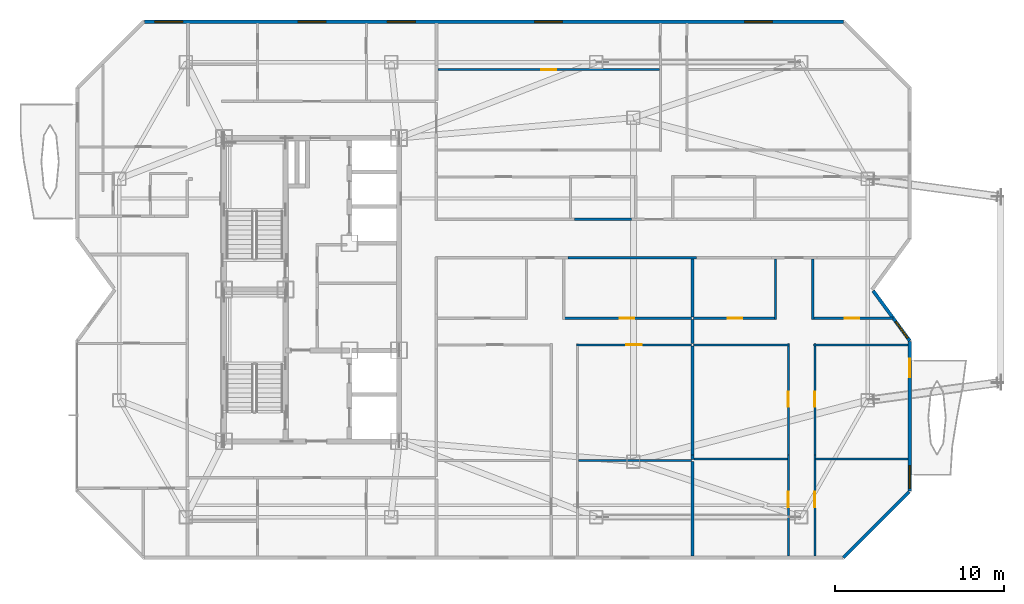
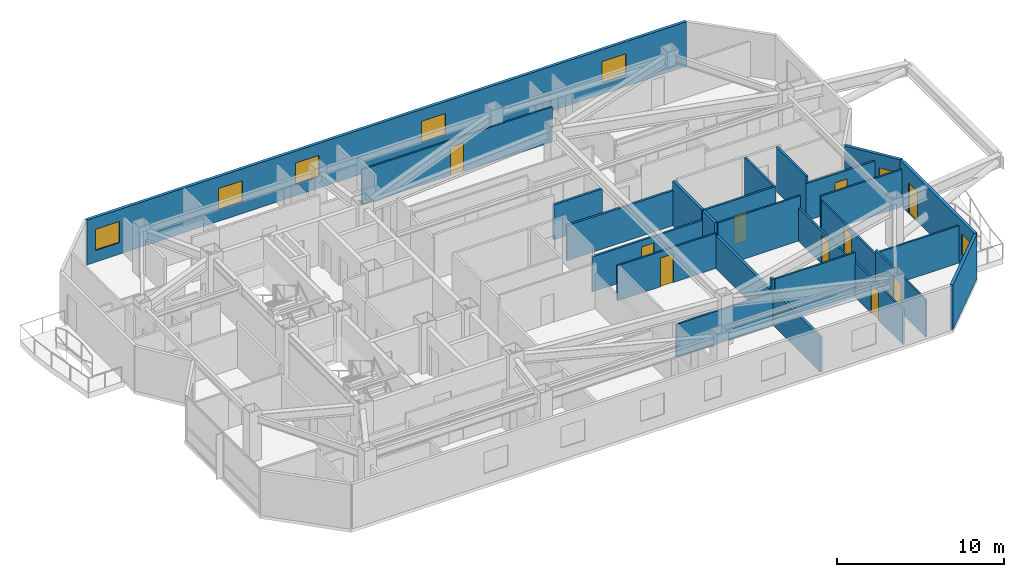
# One storey, part 11 of 14: 27 walls, 10 doors, 7 windows, 17 openings.
"""IFC4 building model written with IfcOpenShell, lengths in metres."""

from ifc_helpers import new_model, si_unit, direction, frame, frame_2d, origin, place, context, subcontext, project, spatial, rectangle, extrude, material, layer, layer_set, type_object, element, fill, save


model = new_model("IFC4")

# Units and contexts
model_context = context("Model", 3, precision=1e-05, world=origin(), true_north=direction((0.0, 1.0)))
body_context = subcontext(model_context, "Body", "Model", "MODEL_VIEW")
ifc_project = project(units=[si_unit("LENGTHUNIT", "METRE"), si_unit("AREAUNIT", "SQUARE_METRE"), si_unit("VOLUMEUNIT", "CUBIC_METRE"), si_unit("PLANEANGLEUNIT", "RADIAN"), si_unit("MASSUNIT", "GRAM", prefix="KILO")], contexts=[model_context])

# Site, building, storey
site_placement = place(None, origin())
site = spatial("IfcSite", under=ifc_project, at=site_placement, CompositionType="ELEMENT")
building_placement = place(site_placement, origin())
building = spatial("IfcBuilding", under=site, at=building_placement, Name="Khamvora Tower", CompositionType="ELEMENT")
storey_placement = place(building_placement, frame((0.0, 0.0, 261.0)))
storey = spatial("IfcBuildingStorey", under=building, at=storey_placement, Name="L67", CompositionType="ELEMENT", Elevation=261.0)

# Walls
ifc_material_1 = material(Name="Fire-Rated Drywall and Steel Stud", Category="steel")
ifc_layer_1 = layer(ifc_material_1, 0.14990234375)
ifc_layer_set_1 = layer_set([ifc_layer_1], Name="Fire-Rated Drywall and Steel Stud")
wall_type_1 = type_object("IfcWallType", Name="WAL-CORR-150", PredefinedType="STANDARD", material=ifc_layer_set_1)
wall_1_placement = place(storey_placement, frame((57.054931640625, 29.885009765625, 0.0), z_axis=(0.0, 0.0, 1.0), x_axis=(-1.0, 0.0, 0.0)))
element("IfcWall", 1, at=wall_1_placement, inside=storey, type_object=wall_type_1, Name="L67 interior partition wall 022", PredefinedType="STANDARD", context=body_context, shape_type="SweptSolid", body=[
    extrude(rectangle(XDim=7.64599609375, YDim=0.14990234375, at=frame_2d((3.822998046875, 0.0))), origin(), (0.0, 0.0, 1.0), 2.56494140625),
])
wall_2_placement = place(storey_placement, frame((49.819091796875, 32.1650390625, 0.0), z_axis=(0.0, 0.0, 1.0), x_axis=(1.0, 0.0, 0.0)))
element("IfcWall", 2, at=wall_2_placement, inside=storey, type_object=wall_type_1, Name="L67 interior partition wall 033", PredefinedType="STANDARD", context=body_context, shape_type="SweptSolid", body=[
    extrude(rectangle(XDim=3.366943359375, YDim=0.14990234375, at=frame_2d((1.68359375, 0.0))), origin(), (0.0, 0.0, 1.0), 2.56494140625),
])
ifc_material_2 = material(Name="Acoustic Double-Stud Fire Wall", Category="gypsum")
ifc_layer_2 = layer(ifc_material_2, 0.179931640625)
ifc_layer_set_2 = layer_set([ifc_layer_2], Name="Acoustic Double-Stud Fire Wall")
wall_type_2 = type_object("IfcWallType", Name="WAL-CORR-180", PredefinedType="STANDARD", material=ifc_layer_set_2)
wall_3_placement = place(storey_placement, frame((56.804931640625, 26.239990234375, 0.0), z_axis=(0.0, 0.0, 1.0), x_axis=(0.0, -1.0, 0.0)))
element("IfcWall", 3, at=wall_3_placement, inside=storey, type_object=wall_type_2, Name="L67 interior partition wall 072", PredefinedType="STANDARD", context=body_context, shape_type="SweptSolid", body=[
    extrude(rectangle(XDim=1.449951171875, YDim=0.179931640625, at=frame_2d((0.72509765625, 0.0))), origin(), (0.0, 0.0, 1.0), 3.27001953125),
])
wall_4_placement = place(storey_placement, frame((56.804931640625, 29.820068359375, 0.0), z_axis=(0.0, 0.0, 1.0), x_axis=(0.0, -1.0, 0.0)))
element("IfcWall", 4, at=wall_4_placement, inside=storey, type_object=wall_type_2, Name="L67 interior partition wall 073", PredefinedType="STANDARD", context=body_context, shape_type="SweptSolid", body=[
    extrude(rectangle(XDim=3.449951171875, YDim=0.179931640625, at=frame_2d((1.72509765625, 0.0))), origin(), (0.0, 0.0, 1.0), 3.27001953125),
])
wall_5_placement = place(storey_placement, frame((56.804931640625, 17.801025390625, 0.0), z_axis=(0.0, 0.0, 1.0), x_axis=(0.0, -1.0, 0.0)))
element("IfcWall", 5, at=wall_5_placement, inside=storey, type_object=wall_type_2, Name="L67 interior partition wall 076", PredefinedType="STANDARD", context=body_context, shape_type="SweptSolid", body=[
    extrude(rectangle(XDim=5.609130859375, YDim=0.179931640625, at=frame_2d((2.8046875, 0.0))), origin(), (0.0, 0.0, 1.0), 2.56494140625),
])
wall_6_placement = place(storey_placement, frame((56.804931640625, 18.18896484375, 0.0), z_axis=(0.0, 0.0, 1.0), x_axis=(0.0, -1.0, 0.0)))
element("IfcWall", 6, at=wall_6_placement, inside=storey, type_object=wall_type_2, Name="L67 interior partition wall 077", PredefinedType="STANDARD", context=body_context, shape_type="SweptSolid", body=[
    extrude(rectangle(XDim=0.258056640625, YDim=0.179931640625, at=frame_2d((0.12890625, 0.0))), origin(), (0.0, 0.0, 1.0), 3.27001953125),
])
wall_7_placement = place(storey_placement, frame((56.804931640625, 24.659912109375, 0.0), z_axis=(0.0, 0.0, 1.0), x_axis=(0.0, -1.0, 0.0)))
element("IfcWall", 7, at=wall_7_placement, inside=storey, type_object=wall_type_2, Name="L67 interior partition wall 078", PredefinedType="STANDARD", context=body_context, shape_type="SweptSolid", body=[
    extrude(rectangle(XDim=6.470947265625, YDim=0.179931640625, at=frame_2d((3.2353515625, 0.0))), origin(), (0.0, 0.0, 1.0), 2.405029296875),
])

# Wall, openings, windows
ifc_material_3 = material(Name="Precast concrete C40/50", Category="concrete")
ifc_layer_3 = layer(ifc_material_3, 0.199951171875)
ifc_layer_set_3 = layer_set([ifc_layer_3], Name="Precast concrete C40/50")
wall_type_3 = type_object("IfcWallType", Name="WAL-EXT-200", PredefinedType="STANDARD", material=ifc_layer_set_3)
wall_8_placement = place(storey_placement, frame((24.302001953125, 43.89990234375, 0.0), z_axis=(0.0, 0.0, 1.0), x_axis=(1.0, 0.0, 0.0)))
wall_8 = element("IfcWall", 8, at=wall_8_placement, inside=storey, type_object=wall_type_3, Name="L67 exterior facade wall 07.1", PredefinedType="STANDARD", context=body_context, shape_type="SweptSolid", body=[
    extrude(rectangle(XDim=41.45703125, YDim=0.199951171875, at=frame_2d((20.728515625, 0.0))), origin(), (0.0, 0.0, 1.0), 3.27001953125),
])
opening_1_placement = place(wall_8_placement, frame((0.60400390625, 0.0, 0.85009765625)))
opening_1 = element("IfcOpeningElement", 9, at=opening_1_placement, cuts=wall_8, Name="Opening WN-06", PredefinedType="OPENING", context=body_context, shape_type="SweptSolid", body=[
    extrude(rectangle(XDim=1.64990234375, YDim=1.550048828125, at=frame_2d((0.824951171875, 0.77490234375))), frame((0.0, 0.10986328125, 0.0), z_axis=(0.0, -1.0, 0.0), x_axis=(1.0, 0.0, 0.0)), (0.0, 0.0, 1.0), 0.219970703125),
])
opening_2_placement = place(wall_8_placement, frame((9.097900390625, 0.0, 0.85009765625)))
opening_2 = element("IfcOpeningElement", 10, at=opening_2_placement, cuts=wall_8, Name="Opening WN-06", PredefinedType="OPENING", context=body_context, shape_type="SweptSolid", body=[
    extrude(rectangle(XDim=1.64990234375, YDim=1.550048828125, at=frame_2d((0.824951171875, 0.77490234375))), frame((0.0, 0.10986328125, 0.0), z_axis=(0.0, -1.0, 0.0), x_axis=(1.0, 0.0, 0.0)), (0.0, 0.0, 1.0), 0.219970703125),
])
opening_3_placement = place(wall_8_placement, frame((14.405029296875, 0.0, 0.85009765625)))
opening_3 = element("IfcOpeningElement", 11, at=opening_3_placement, cuts=wall_8, Name="Opening WN-06", PredefinedType="OPENING", context=body_context, shape_type="SweptSolid", body=[
    extrude(rectangle(XDim=1.64990234375, YDim=1.550048828125, at=frame_2d((0.824951171875, 0.77490234375))), frame((0.0, 0.10986328125, 0.0), z_axis=(0.0, -1.0, 0.0), x_axis=(1.0, 0.0, 0.0)), (0.0, 0.0, 1.0), 0.219970703125),
])
opening_4_placement = place(wall_8_placement, frame((23.131103515625, 0.0, 0.85009765625)))
opening_4 = element("IfcOpeningElement", 12, at=opening_4_placement, cuts=wall_8, Name="Opening WN-06", PredefinedType="OPENING", context=body_context, shape_type="SweptSolid", body=[
    extrude(rectangle(XDim=1.64990234375, YDim=1.550048828125, at=frame_2d((0.824951171875, 0.77490234375))), frame((0.0, 0.10986328125, 0.0), z_axis=(0.0, -1.0, 0.0), x_axis=(1.0, 0.0, 0.0)), (0.0, 0.0, 1.0), 0.219970703125),
])
opening_5_placement = place(wall_8_placement, frame((35.594970703125, 0.0, 0.85009765625)))
opening_5 = element("IfcOpeningElement", 13, at=opening_5_placement, cuts=wall_8, Name="Opening WN-06", PredefinedType="OPENING", context=body_context, shape_type="SweptSolid", body=[
    extrude(rectangle(XDim=1.64990234375, YDim=1.550048828125, at=frame_2d((0.824951171875, 0.77490234375))), frame((0.0, 0.10986328125, 0.0), z_axis=(0.0, -1.0, 0.0), x_axis=(1.0, 0.0, 0.0)), (0.0, 0.0, 1.0), 0.219970703125),
])
ifc_material_4 = material(Name="Low-E Laminated Double Glazing", Category="glass")
window_type_1 = type_object("IfcWindowType", Name="WIN-VIS-1650x1550", PartitioningType="SINGLE_PANEL", PredefinedType="WINDOW", material=ifc_material_4)
window_1_placement = place(opening_1_placement, origin())
window_1 = element("IfcWindow", 14, at=window_1_placement, inside=storey, type_object=window_type_1, Name="L67 vision window 07.1.01", OverallHeight=1.550048828125, OverallWidth=1.64990234375, PartitioningType="SINGLE_PANEL", PredefinedType="WINDOW", context=body_context, shape_type="SweptSolid", body=[
    extrude(rectangle(XDim=1.64990234375, YDim=1.550048828125, at=frame_2d((0.824951171875, 0.77490234375))), frame((0.0, 0.030029296875, 0.0), z_axis=(0.0, -1.0, 0.0), x_axis=(1.0, 0.0, 0.0)), (0.0, 0.0, 1.0), 0.06005859375),
])
fill(opening_1, window_1)
window_2_placement = place(opening_2_placement, origin())
window_2 = element("IfcWindow", 15, at=window_2_placement, inside=storey, type_object=window_type_1, Name="L67 vision window 07.1.02", OverallHeight=1.550048828125, OverallWidth=1.64990234375, PartitioningType="SINGLE_PANEL", PredefinedType="WINDOW", context=body_context, shape_type="SweptSolid", body=[
    extrude(rectangle(XDim=1.64990234375, YDim=1.550048828125, at=frame_2d((0.824951171875, 0.77490234375))), frame((0.0, 0.030029296875, 0.0), z_axis=(0.0, -1.0, 0.0), x_axis=(1.0, 0.0, 0.0)), (0.0, 0.0, 1.0), 0.06005859375),
])
fill(opening_2, window_2)
window_3_placement = place(opening_3_placement, origin())
window_3 = element("IfcWindow", 16, at=window_3_placement, inside=storey, type_object=window_type_1, Name="L67 vision window 07.1.03", OverallHeight=1.550048828125, OverallWidth=1.64990234375, PartitioningType="SINGLE_PANEL", PredefinedType="WINDOW", context=body_context, shape_type="SweptSolid", body=[
    extrude(rectangle(XDim=1.64990234375, YDim=1.550048828125, at=frame_2d((0.824951171875, 0.77490234375))), frame((0.0, 0.030029296875, 0.0), z_axis=(0.0, -1.0, 0.0), x_axis=(1.0, 0.0, 0.0)), (0.0, 0.0, 1.0), 0.06005859375),
])
fill(opening_3, window_3)
window_4_placement = place(opening_4_placement, origin())
window_4 = element("IfcWindow", 17, at=window_4_placement, inside=storey, type_object=window_type_1, Name="L67 vision window 07.1.04", OverallHeight=1.550048828125, OverallWidth=1.64990234375, PartitioningType="SINGLE_PANEL", PredefinedType="WINDOW", context=body_context, shape_type="SweptSolid", body=[
    extrude(rectangle(XDim=1.64990234375, YDim=1.550048828125, at=frame_2d((0.824951171875, 0.77490234375))), frame((0.0, 0.030029296875, 0.0), z_axis=(0.0, -1.0, 0.0), x_axis=(1.0, 0.0, 0.0)), (0.0, 0.0, 1.0), 0.06005859375),
])
fill(opening_4, window_4)
window_5_placement = place(opening_5_placement, origin())
window_5 = element("IfcWindow", 18, at=window_5_placement, inside=storey, type_object=window_type_1, Name="L67 vision window 07.1.05", OverallHeight=1.550048828125, OverallWidth=1.64990234375, PartitioningType="SINGLE_PANEL", PredefinedType="WINDOW", context=body_context, shape_type="SweptSolid", body=[
    extrude(rectangle(XDim=1.64990234375, YDim=1.550048828125, at=frame_2d((0.824951171875, 0.77490234375))), frame((0.0, 0.030029296875, 0.0), z_axis=(0.0, -1.0, 0.0), x_axis=(1.0, 0.0, 0.0)), (0.0, 0.0, 1.0), 0.06005859375),
])
fill(opening_5, window_5)

# Wall, opening, window
wall_9_placement = place(storey_placement, frame((67.527099609375, 27.930908203125, 0.0), z_axis=(0.0, 0.0, 1.0), x_axis=(0.591248456881, -0.80648946815, 0.0)))
wall_9 = element("IfcWall", 19, at=wall_9_placement, inside=storey, type_object=wall_type_3, Name="L67 exterior facade wall 11.1", PredefinedType="STANDARD", context=body_context, shape_type="SweptSolid", body=[
    extrude(rectangle(XDim=3.675048828125, YDim=0.199951171875, at=frame_2d((1.83740234375, 0.0))), origin(), (0.0, 0.0, 1.0), 3.27001953125),
])
opening_6_placement = place(wall_9_placement, frame((2.259033203125, 0.0, 0.800048828125)))
opening_6 = element("IfcOpeningElement", 20, at=opening_6_placement, cuts=wall_9, Name="Opening WN-03", PredefinedType="OPENING", context=body_context, shape_type="SweptSolid", body=[
    extrude(rectangle(XDim=1.199951171875, YDim=1.5, at=frame_2d((0.60009765625, 0.75))), frame((0.0, 0.10986328125, 0.0), z_axis=(0.0, -1.0, 0.0), x_axis=(1.0, 0.0, 0.0)), (0.0, 0.0, 1.0), 0.219970703125),
])
window_type_2 = type_object("IfcWindowType", Name="WIN-VIS-1200x1500", PartitioningType="SINGLE_PANEL", PredefinedType="WINDOW", material=ifc_material_4)
window_6_placement = place(opening_6_placement, origin())
window_6 = element("IfcWindow", 21, at=window_6_placement, inside=storey, type_object=window_type_2, Name="L67 vision window 11.1.01", OverallHeight=1.5, OverallWidth=1.199951171875, PartitioningType="SINGLE_PANEL", PredefinedType="WINDOW", context=body_context, shape_type="SweptSolid", body=[
    extrude(rectangle(XDim=1.199951171875, YDim=1.5, at=frame_2d((0.60009765625, 0.75))), frame((0.0, 0.030029296875, 0.0), z_axis=(0.0, -1.0, 0.0), x_axis=(1.0, 0.0, 0.0)), (0.0, 0.0, 1.0), 0.06005859375),
])
fill(opening_6, window_6)

# Wall, openings, door, window
wall_10_placement = place(storey_placement, frame((69.699951171875, 24.916015625, 0.0), z_axis=(0.0, 0.0, 1.0), x_axis=(0.0, -1.0, 0.0)))
wall_10 = element("IfcWall", 22, at=wall_10_placement, inside=storey, type_object=wall_type_3, Name="L67 exterior facade wall 12.1", PredefinedType="STANDARD", context=body_context, shape_type="SweptSolid", body=[
    extrude(rectangle(XDim=8.875, YDim=0.199951171875, at=frame_2d((4.4375, 0.0))), origin(), (0.0, 0.0, 1.0), 3.27001953125),
])
opening_7_placement = place(wall_10_placement, frame((1.0048828125, 0.0, 0.0)))
opening_7 = element("IfcOpeningElement", 23, at=opening_7_placement, cuts=wall_10, Name="Opening BD-01", PredefinedType="OPENING", context=body_context, shape_type="SweptSolid", body=[
    extrude(rectangle(XDim=1.10009765625, YDim=2.199951171875, at=frame_2d((0.550048828125, 1.10009765625))), frame((0.0, 0.10986328125, 0.0), z_axis=(0.0, -1.0, 0.0), x_axis=(1.0, 0.0, 0.0)), (0.0, 0.0, 1.0), 0.219970703125),
])
opening_8_placement = place(wall_10_placement, frame((7.35791015625, 0.0, 0.85009765625)))
opening_8 = element("IfcOpeningElement", 24, at=opening_8_placement, cuts=wall_10, Name="Opening WN-07", PredefinedType="OPENING", context=body_context, shape_type="SweptSolid", body=[
    extrude(rectangle(XDim=1.35009765625, YDim=1.5, at=frame_2d((0.675048828125, 0.75))), frame((0.0, 0.10986328125, 0.0), z_axis=(0.0, -1.0, 0.0), x_axis=(1.0, 0.0, 0.0)), (0.0, 0.0, 1.0), 0.219970703125),
])
ifc_material_5 = material(Name="Anodised Aluminium and Laminated Safety Glass", Category="aluminium")
door_type_1 = type_object("IfcDoorType", Name="DOR-BAL-1100", OperationType="NOTDEFINED", PredefinedType="DOOR", material=ifc_material_5)
door_1_placement = place(opening_7_placement, origin())
door_1 = element("IfcDoor", 25, at=door_1_placement, inside=storey, type_object=door_type_1, Name="L67 lens gallery balcony door EL1", OperationType="SLIDING_TO_LEFT", OverallHeight=2.199951171875, OverallWidth=1.10009765625, PredefinedType="DOOR", context=body_context, shape_type="SweptSolid", body=[
    extrude(rectangle(XDim=1.10009765625, YDim=2.199951171875, at=frame_2d((0.550048828125, 1.10009765625))), frame((0.0, 0.02490234375, 0.0), z_axis=(0.0, -1.0, 0.0), x_axis=(1.0, 0.0, 0.0)), (0.0, 0.0, 1.0), 0.050048828125),
])
fill(opening_7, door_1)
window_type_3 = type_object("IfcWindowType", Name="WIN-VIS-1350x1500", PartitioningType="SINGLE_PANEL", PredefinedType="WINDOW", material=ifc_material_4)
window_7_placement = place(opening_8_placement, origin())
window_7 = element("IfcWindow", 26, at=window_7_placement, inside=storey, type_object=window_type_3, Name="L67 vision window 12.1.01", OverallHeight=1.5, OverallWidth=1.35009765625, PartitioningType="SINGLE_PANEL", PredefinedType="WINDOW", context=body_context, shape_type="SweptSolid", body=[
    extrude(rectangle(XDim=1.35009765625, YDim=1.5, at=frame_2d((0.675048828125, 0.75))), frame((0.0, 0.030029296875, 0.0), z_axis=(0.0, -1.0, 0.0), x_axis=(1.0, 0.0, 0.0)), (0.0, 0.0, 1.0), 0.06005859375),
])
fill(opening_8, window_7)

# Wall
wall_11_placement = place(storey_placement, frame((69.655029296875, 15.99609375, 0.0), z_axis=(0.0, 0.0, 1.0), x_axis=(-0.707106781187, -0.707106781187, 0.0)))
element("IfcWall", 27, at=wall_11_placement, inside=storey, type_object=wall_type_3, Name="L67 exterior facade wall 13.1", PredefinedType="STANDARD", context=body_context, shape_type="SweptSolid", body=[
    extrude(rectangle(XDim=5.509765625, YDim=0.199951171875, at=frame_2d((2.7548828125, 0.0))), origin(), (0.0, 0.0, 1.0), 3.27001953125),
])

# Wall, opening, door
ifc_material_6 = material(Name="Gypsum Plasterboard Partition", Category="gypsum")
ifc_layer_4 = layer(ifc_material_6, 0.1201171875)
ifc_layer_set_4 = layer_set([ifc_layer_4], Name="Gypsum Plasterboard Partition")
wall_type_4 = type_object("IfcWallType", Name="WAL-PART-120", PredefinedType="PARTITIONING", material=ifc_layer_set_4)
wall_12_placement = place(storey_placement, frame((56.739990234375, 24.72509765625, 0.0), z_axis=(0.0, 0.0, 1.0), x_axis=(-1.0, 0.0, 0.0)))
wall_12 = element("IfcWall", 28, at=wall_12_placement, inside=storey, type_object=wall_type_4, Name="L67 interior partition wall 070", PredefinedType="PARTITIONING", context=body_context, shape_type="SweptSolid", body=[
    extrude(rectangle(XDim=6.81005859375, YDim=0.1201171875, at=frame_2d((3.405029296875, 0.0))), origin(), (0.0, 0.0, 1.0), 2.56494140625),
])
opening_9_placement = place(wall_12_placement, frame((2.955078125, 0.0, 0.0)))
opening_9 = element("IfcOpeningElement", 29, at=opening_9_placement, cuts=wall_12, Name="Opening D-RM1", PredefinedType="OPENING", context=body_context, shape_type="SweptSolid", body=[
    extrude(rectangle(XDim=0.89990234375, YDim=2.10009765625, at=frame_2d((0.449951171875, 1.050048828125))), frame((0.0, 0.070068359375, 0.0), z_axis=(0.0, -1.0, 0.0), x_axis=(1.0, 0.0, 0.0)), (0.0, 0.0, 1.0), 0.14013671875),
])
ifc_material_7 = material(Name="Powder-Coated Steel and Hardwood Leaf", Category="steel")
door_type_2 = type_object("IfcDoorType", Name="DOR-ROOM-900", OperationType="NOTDEFINED", PredefinedType="DOOR", material=ifc_material_7)
door_2_placement = place(opening_9_placement, origin())
door_2 = element("IfcDoor", 30, at=door_2_placement, inside=storey, type_object=door_type_2, Name="L67 interior door 67EA1H-67EA1R4", OperationType="SINGLE_SWING_RIGHT", OverallHeight=2.10009765625, OverallWidth=0.89990234375, PredefinedType="DOOR", context=body_context, shape_type="SweptSolid", body=[
    extrude(rectangle(XDim=0.89990234375, YDim=2.10009765625, at=frame_2d((0.449951171875, 1.050048828125))), frame((0.0, 0.02490234375, 0.0), z_axis=(0.0, -1.0, 0.0), x_axis=(1.0, 0.0, 0.0)), (0.0, 0.0, 1.0), 0.050048828125),
])
fill(opening_9, door_2)

# Wall
wall_13_placement = place(storey_placement, frame((50.049072265625, 17.865966796875, 0.0), z_axis=(0.0, 0.0, 1.0), x_axis=(1.0, 0.0, 0.0)))
element("IfcWall", 31, at=wall_13_placement, inside=storey, type_object=wall_type_4, Name="L67 interior partition wall 075", PredefinedType="PARTITIONING", context=body_context, shape_type="SweptSolid", body=[
    extrude(rectangle(XDim=6.69091796875, YDim=0.1201171875, at=frame_2d((3.345458984375, 0.0))), origin(), (0.0, 0.0, 1.0), 2.405029296875),
])

# Wall, opening, door
wall_14_placement = place(storey_placement, frame((62.4951171875, 12.19189453125, 0.0), z_axis=(0.0, 0.0, 1.0), x_axis=(0.0, 1.0, 0.0)))
wall_14 = element("IfcWall", 32, at=wall_14_placement, inside=storey, type_object=wall_type_4, Name="L67 interior partition wall 083", PredefinedType="PARTITIONING", context=body_context, shape_type="SweptSolid", body=[
    extrude(rectangle(XDim=5.9970703125, YDim=0.1201171875, at=frame_2d((2.99853515625, 0.0))), origin(), (0.0, 0.0, 1.0), 2.56494140625),
])
opening_10_placement = place(wall_14_placement, frame((2.906005859375, 0.0, 0.0)))
opening_10 = element("IfcOpeningElement", 33, at=opening_10_placement, cuts=wall_14, Name="Opening D-RM1", PredefinedType="OPENING", context=body_context, shape_type="SweptSolid", body=[
    extrude(rectangle(XDim=0.89990234375, YDim=2.10009765625, at=frame_2d((0.449951171875, 1.050048828125))), frame((0.0, 0.070068359375, 0.0), z_axis=(0.0, -1.0, 0.0), x_axis=(1.0, 0.0, 0.0)), (0.0, 0.0, 1.0), 0.14013671875),
])
door_3_placement = place(opening_10_placement, origin())
door_3 = element("IfcDoor", 34, at=door_3_placement, inside=storey, type_object=door_type_2, Name="L67 interior door 67EA2H-67EA2L", OperationType="SINGLE_SWING_RIGHT", OverallHeight=2.10009765625, OverallWidth=0.89990234375, PredefinedType="DOOR", context=body_context, shape_type="SweptSolid", body=[
    extrude(rectangle(XDim=0.89990234375, YDim=2.10009765625, at=frame_2d((0.449951171875, 1.050048828125))), frame((0.0, 0.02490234375, 0.0), z_axis=(0.0, -1.0, 0.0), x_axis=(1.0, 0.0, 0.0)), (0.0, 0.0, 1.0), 0.050048828125),
])
fill(opening_10, door_3)

wall_15_placement = place(storey_placement, frame((62.4951171875, 18.18896484375, 0.0), z_axis=(0.0, 0.0, 1.0), x_axis=(0.0, 1.0, 0.0)))
wall_15 = element("IfcWall", 35, at=wall_15_placement, inside=storey, type_object=wall_type_4, Name="L67 interior partition wall 084", PredefinedType="PARTITIONING", context=body_context, shape_type="SweptSolid", body=[
    extrude(rectangle(XDim=6.60107421875, YDim=0.1201171875, at=frame_2d((3.300537109375, 0.0))), origin(), (0.0, 0.0, 1.0), 2.405029296875),
])
opening_11_placement = place(wall_15_placement, frame((2.85009765625, 0.0, 0.0)))
opening_11 = element("IfcOpeningElement", 36, at=opening_11_placement, cuts=wall_15, Name="Opening D-RM1", PredefinedType="OPENING", context=body_context, shape_type="SweptSolid", body=[
    extrude(rectangle(XDim=0.89990234375, YDim=2.10009765625, at=frame_2d((0.449951171875, 1.050048828125))), frame((0.0, 0.070068359375, 0.0), z_axis=(0.0, -1.0, 0.0), x_axis=(1.0, 0.0, 0.0)), (0.0, 0.0, 1.0), 0.14013671875),
])
door_4_placement = place(opening_11_placement, origin())
door_4 = element("IfcDoor", 37, at=door_4_placement, inside=storey, type_object=door_type_2, Name="L67 interior door 67EA2H-67EA2R2", OperationType="SINGLE_SWING_RIGHT", OverallHeight=2.10009765625, OverallWidth=0.89990234375, PredefinedType="DOOR", context=body_context, shape_type="SweptSolid", body=[
    extrude(rectangle(XDim=0.89990234375, YDim=2.10009765625, at=frame_2d((0.449951171875, 1.050048828125))), frame((0.0, 0.02490234375, 0.0), z_axis=(0.0, -1.0, 0.0), x_axis=(1.0, 0.0, 0.0)), (0.0, 0.0, 1.0), 0.050048828125),
])
fill(opening_11, door_4)

# Wall
wall_16_placement = place(storey_placement, frame((62.56005859375, 24.72509765625, 0.0), z_axis=(0.0, 0.0, 1.0), x_axis=(-1.0, 0.0, 0.0)))
element("IfcWall", 38, at=wall_16_placement, inside=storey, type_object=wall_type_4, Name="L67 interior partition wall 085", PredefinedType="PARTITIONING", context=body_context, shape_type="SweptSolid", body=[
    extrude(rectangle(XDim=5.68994140625, YDim=0.1201171875, at=frame_2d((2.844970703125, 0.0))), origin(), (0.0, 0.0, 1.0), 3.27001953125),
])

# Wall, opening, door
wall_17_placement = place(storey_placement, frame((64.06494140625, 18.18896484375, 0.0), z_axis=(0.0, 0.0, 1.0), x_axis=(0.0, -1.0, 0.0)))
wall_17 = element("IfcWall", 39, at=wall_17_placement, inside=storey, type_object=wall_type_4, Name="L67 interior partition wall 086", PredefinedType="PARTITIONING", context=body_context, shape_type="SweptSolid", body=[
    extrude(rectangle(XDim=5.9970703125, YDim=0.1201171875, at=frame_2d((2.99853515625, 0.0))), origin(), (0.0, 0.0, 1.0), 2.72705078125),
])
opening_12_placement = place(wall_17_placement, frame((2.19091796875, 0.0, 0.0)))
opening_12 = element("IfcOpeningElement", 40, at=opening_12_placement, cuts=wall_17, Name="Opening D-RM1", PredefinedType="OPENING", context=body_context, shape_type="SweptSolid", body=[
    extrude(rectangle(XDim=0.89990234375, YDim=2.10009765625, at=frame_2d((0.449951171875, 1.050048828125))), frame((0.0, 0.070068359375, 0.0), z_axis=(0.0, -1.0, 0.0), x_axis=(1.0, 0.0, 0.0)), (0.0, 0.0, 1.0), 0.14013671875),
])
door_5_placement = place(opening_12_placement, origin())
door_5 = element("IfcDoor", 41, at=door_5_placement, inside=storey, type_object=door_type_2, Name="L67 interior door 67EA2H-67EA2R3", OperationType="SINGLE_SWING_LEFT", OverallHeight=2.10009765625, OverallWidth=0.89990234375, PredefinedType="DOOR", context=body_context, shape_type="SweptSolid", body=[
    extrude(rectangle(XDim=0.89990234375, YDim=2.10009765625, at=frame_2d((0.449951171875, 1.050048828125))), frame((0.0, 0.02490234375, 0.0), z_axis=(0.0, -1.0, 0.0), x_axis=(1.0, 0.0, 0.0)), (0.0, 0.0, 1.0), 0.050048828125),
])
fill(opening_12, door_5)

wall_18_placement = place(storey_placement, frame((64.06494140625, 24.7900390625, 0.0), z_axis=(0.0, 0.0, 1.0), x_axis=(0.0, -1.0, 0.0)))
wall_18 = element("IfcWall", 42, at=wall_18_placement, inside=storey, type_object=wall_type_4, Name="L67 interior partition wall 087", PredefinedType="PARTITIONING", context=body_context, shape_type="SweptSolid", body=[
    extrude(rectangle(XDim=6.60107421875, YDim=0.1201171875, at=frame_2d((3.300537109375, 0.0))), origin(), (0.0, 0.0, 1.0), 2.405029296875),
])
opening_13_placement = place(wall_18_placement, frame((2.85009765625, 0.0, 0.0)))
opening_13 = element("IfcOpeningElement", 43, at=opening_13_placement, cuts=wall_18, Name="Opening D-RM1", PredefinedType="OPENING", context=body_context, shape_type="SweptSolid", body=[
    extrude(rectangle(XDim=0.89990234375, YDim=2.10009765625, at=frame_2d((0.449951171875, 1.050048828125))), frame((0.0, 0.070068359375, 0.0), z_axis=(0.0, -1.0, 0.0), x_axis=(1.0, 0.0, 0.0)), (0.0, 0.0, 1.0), 0.14013671875),
])
door_6_placement = place(opening_13_placement, origin())
door_6 = element("IfcDoor", 44, at=door_6_placement, inside=storey, type_object=door_type_2, Name="L67 interior door 67EA2H-67EA2R4", OperationType="SINGLE_SWING_LEFT", OverallHeight=2.10009765625, OverallWidth=0.89990234375, PredefinedType="DOOR", context=body_context, shape_type="SweptSolid", body=[
    extrude(rectangle(XDim=0.89990234375, YDim=2.10009765625, at=frame_2d((0.449951171875, 1.050048828125))), frame((0.0, 0.02490234375, 0.0), z_axis=(0.0, -1.0, 0.0), x_axis=(1.0, 0.0, 0.0)), (0.0, 0.0, 1.0), 0.050048828125),
])
fill(opening_13, door_6)

# Walls
wall_19_placement = place(storey_placement, frame((69.60791015625, 24.72509765625, 0.0), z_axis=(0.0, 0.0, 1.0), x_axis=(-1.0, 0.0, 0.0)))
element("IfcWall", 45, at=wall_19_placement, inside=storey, type_object=wall_type_4, Name="L67 interior partition wall 088", PredefinedType="PARTITIONING", context=body_context, shape_type="SweptSolid", body=[
    extrude(rectangle(XDim=5.60791015625, YDim=0.1201171875, at=frame_2d((2.803955078125, 0.0))), origin(), (0.0, 0.0, 1.0), 2.72705078125),
])
wall_20_placement = place(storey_placement, frame((56.886962890625, 17.93994140625, 0.0), z_axis=(0.0, 0.0, 1.0), x_axis=(1.0, 0.0, 0.0)))
element("IfcWall", 46, at=wall_20_placement, inside=storey, type_object=wall_type_4, Name="L67 interior partition wall 089", PredefinedType="PARTITIONING", context=body_context, shape_type="SweptSolid", body=[
    extrude(rectangle(XDim=5.553955078125, YDim=0.1201171875, at=frame_2d((2.77685546875, 0.0))), origin(), (0.0, 0.0, 1.0), 3.27001953125),
])
wall_21_placement = place(storey_placement, frame((64.118896484375, 17.93994140625, 0.0), z_axis=(0.0, 0.0, 1.0), x_axis=(1.0, 0.0, 0.0)))
element("IfcWall", 47, at=wall_21_placement, inside=storey, type_object=wall_type_4, Name="L67 interior partition wall 090", PredefinedType="PARTITIONING", context=body_context, shape_type="SweptSolid", body=[
    extrude(rectangle(XDim=5.489013671875, YDim=0.1201171875, at=frame_2d((2.74462890625, 0.0))), origin(), (0.0, 0.0, 1.0), 2.72705078125),
])

# Wall, opening, door
wall_22_placement = place(storey_placement, frame((41.697021484375, 41.052001953125, 0.0), z_axis=(0.0, 0.0, 1.0), x_axis=(1.0, 0.0, 0.0)))
wall_22 = element("IfcWall", 48, at=wall_22_placement, inside=storey, type_object=wall_type_4, Name="L67 interior partition wall 105", PredefinedType="PARTITIONING", context=body_context, shape_type="SweptSolid", body=[
    extrude(rectangle(XDim=13.14892578125, YDim=0.1201171875, at=frame_2d((6.574462890625, 0.0))), origin(), (0.0, 0.0, 1.0), 2.56494140625),
])
opening_14_placement = place(wall_22_placement, frame((6.1240234375, 0.0, 0.0)))
opening_14 = element("IfcOpeningElement", 49, at=opening_14_placement, cuts=wall_22, Name="Opening D-RM1", PredefinedType="OPENING", context=body_context, shape_type="SweptSolid", body=[
    extrude(rectangle(XDim=0.89990234375, YDim=2.10009765625, at=frame_2d((0.449951171875, 1.050048828125))), frame((0.0, 0.070068359375, 0.0), z_axis=(0.0, -1.0, 0.0), x_axis=(1.0, 0.0, 0.0)), (0.0, 0.0, 1.0), 0.14013671875),
])
door_7_placement = place(opening_14_placement, origin())
door_7 = element("IfcDoor", 50, at=door_7_placement, inside=storey, type_object=door_type_2, Name="L67 interior door 67EBR1-67EBR2", OperationType="SINGLE_SWING_RIGHT", OverallHeight=2.10009765625, OverallWidth=0.89990234375, PredefinedType="DOOR", context=body_context, shape_type="SweptSolid", body=[
    extrude(rectangle(XDim=0.89990234375, YDim=2.10009765625, at=frame_2d((0.449951171875, 1.050048828125))), frame((0.0, 0.02490234375, 0.0), z_axis=(0.0, -1.0, 0.0), x_axis=(1.0, 0.0, 0.0)), (0.0, 0.0, 1.0), 0.050048828125),
])
fill(opening_14, door_7)

ifc_material_8 = material(Name="Moisture-Resistant Plasterboard Partition", Category="gypsum")
ifc_layer_5 = layer(ifc_material_8, 0.135009765625)
ifc_layer_set_5 = layer_set([ifc_layer_5], Name="Moisture-Resistant Plasterboard Partition")
wall_type_5 = type_object("IfcWallType", Name="WAL-WET-135", PredefinedType="PARTITIONING", material=ifc_layer_set_5)
wall_23_placement = place(storey_placement, frame((49.094970703125, 26.304931640625, 0.0), z_axis=(0.0, 0.0, 1.0), x_axis=(1.0, 0.0, 0.0)))
wall_23 = element("IfcWall", 51, at=wall_23_placement, inside=storey, type_object=wall_type_5, Name="L67 interior partition wall 065", PredefinedType="PARTITIONING", context=body_context, shape_type="SweptSolid", body=[
    extrude(rectangle(XDim=7.64501953125, YDim=0.135009765625, at=frame_2d((3.822509765625, 0.0))), origin(), (0.0, 0.0, 1.0), 2.56494140625),
])
opening_15_placement = place(wall_23_placement, frame((3.39697265625, 0.0, 0.0)))
opening_15 = element("IfcOpeningElement", 52, at=opening_15_placement, cuts=wall_23, Name="Opening D-RM2", PredefinedType="OPENING", context=body_context, shape_type="SweptSolid", body=[
    extrude(rectangle(XDim=0.85009765625, YDim=2.10009765625, at=frame_2d((0.425048828125, 1.050048828125))), frame((0.0, 0.077392578125, 0.0), z_axis=(0.0, -1.0, 0.0), x_axis=(1.0, 0.0, 0.0)), (0.0, 0.0, 1.0), 0.155029296875),
])
door_type_3 = type_object("IfcDoorType", Name="DOR-ROOM-850", OperationType="NOTDEFINED", PredefinedType="DOOR", material=ifc_material_7)
door_8_placement = place(opening_15_placement, origin())
door_8 = element("IfcDoor", 53, at=door_8_placement, inside=storey, type_object=door_type_3, Name="L67 interior door 67EA1H-67EA1K", OperationType="SINGLE_SWING_LEFT", OverallHeight=2.10009765625, OverallWidth=0.85009765625, PredefinedType="DOOR", context=body_context, shape_type="SweptSolid", body=[
    extrude(rectangle(XDim=0.85009765625, YDim=2.10009765625, at=frame_2d((0.425048828125, 1.050048828125))), frame((0.0, 0.02490234375, 0.0), z_axis=(0.0, -1.0, 0.0), x_axis=(1.0, 0.0, 0.0)), (0.0, 0.0, 1.0), 0.050048828125),
])
fill(opening_15, door_8)

# Wall
wall_24_placement = place(storey_placement, frame((63.93408203125, 29.820068359375, 0.0), z_axis=(0.0, 0.0, 1.0), x_axis=(0.0, -1.0, 0.0)))
element("IfcWall", 54, at=wall_24_placement, inside=storey, type_object=wall_type_5, Name="L67 interior partition wall 079", PredefinedType="PARTITIONING", context=body_context, shape_type="SweptSolid", body=[
    extrude(rectangle(XDim=3.580078125, YDim=0.135009765625, at=frame_2d((1.7900390625, 0.0))), origin(), (0.0, 0.0, 1.0), 3.27001953125),
])

# Wall, opening, door
wall_25_placement = place(storey_placement, frame((63.868896484375, 26.304931640625, 0.0), z_axis=(0.0, 0.0, 1.0), x_axis=(1.0, 0.0, 0.0)))
wall_25 = element("IfcWall", 55, at=wall_25_placement, inside=storey, type_object=wall_type_5, Name="L67 interior partition wall 080", PredefinedType="PARTITIONING", context=body_context, shape_type="SweptSolid", body=[
    extrude(rectangle(XDim=4.821044921875, YDim=0.135009765625, at=frame_2d((2.41064453125, 0.0))), origin(), (0.0, 0.0, 1.0), 2.72705078125),
])
opening_16_placement = place(wall_25_placement, frame((1.985107421875, 0.0, 0.0)))
opening_16 = element("IfcOpeningElement", 56, at=opening_16_placement, cuts=wall_25, Name="Opening D-WC1", PredefinedType="OPENING", context=body_context, shape_type="SweptSolid", body=[
    extrude(rectangle(XDim=0.85009765625, YDim=2.10009765625, at=frame_2d((0.425048828125, 1.050048828125))), frame((0.0, 0.077392578125, 0.0), z_axis=(0.0, -1.0, 0.0), x_axis=(1.0, 0.0, 0.0)), (0.0, 0.0, 1.0), 0.155029296875),
])
door_type_4 = type_object("IfcDoorType", Name="DOR-WET-850", OperationType="NOTDEFINED", PredefinedType="DOOR", material=ifc_material_7)
door_9_placement = place(opening_16_placement, origin())
door_9 = element("IfcDoor", 57, at=door_9_placement, inside=storey, type_object=door_type_4, Name="L67 interior door 67EA2H-67EA2B", OperationType="SINGLE_SWING_LEFT", OverallHeight=2.10009765625, OverallWidth=0.85009765625, PredefinedType="DOOR", context=body_context, shape_type="SweptSolid", body=[
    extrude(rectangle(XDim=0.85009765625, YDim=2.10009765625, at=frame_2d((0.425048828125, 1.050048828125))), frame((0.0, 0.02490234375, 0.0), z_axis=(0.0, -1.0, 0.0), x_axis=(1.0, 0.0, 0.0)), (0.0, 0.0, 1.0), 0.050048828125),
])
fill(opening_16, door_9)

wall_26_placement = place(storey_placement, frame((56.8701171875, 26.304931640625, 0.0), z_axis=(0.0, 0.0, 1.0), x_axis=(1.0, 0.0, 0.0)))
wall_26 = element("IfcWall", 58, at=wall_26_placement, inside=storey, type_object=wall_type_5, Name="L67 interior partition wall 081", PredefinedType="PARTITIONING", context=body_context, shape_type="SweptSolid", body=[
    extrude(rectangle(XDim=4.928955078125, YDim=0.135009765625, at=frame_2d((2.46435546875, 0.0))), origin(), (0.0, 0.0, 1.0), 3.27001953125),
])
opening_17_placement = place(wall_26_placement, frame((2.0400390625, 0.0, 0.0)))
opening_17 = element("IfcOpeningElement", 59, at=opening_17_placement, cuts=wall_26, Name="Opening D-RM2", PredefinedType="OPENING", context=body_context, shape_type="SweptSolid", body=[
    extrude(rectangle(XDim=0.85009765625, YDim=2.10009765625, at=frame_2d((0.425048828125, 1.050048828125))), frame((0.0, 0.077392578125, 0.0), z_axis=(0.0, -1.0, 0.0), x_axis=(1.0, 0.0, 0.0)), (0.0, 0.0, 1.0), 0.155029296875),
])
door_10_placement = place(opening_17_placement, origin())
door_10 = element("IfcDoor", 60, at=door_10_placement, inside=storey, type_object=door_type_3, Name="L67 interior door 67EA2H-67EA2K", OperationType="SINGLE_SWING_RIGHT", OverallHeight=2.10009765625, OverallWidth=0.85009765625, PredefinedType="DOOR", context=body_context, shape_type="SweptSolid", body=[
    extrude(rectangle(XDim=0.85009765625, YDim=2.10009765625, at=frame_2d((0.425048828125, 1.050048828125))), frame((0.0, 0.02490234375, 0.0), z_axis=(0.0, -1.0, 0.0), x_axis=(1.0, 0.0, 0.0)), (0.0, 0.0, 1.0), 0.050048828125),
])
fill(opening_17, door_10)

# Wall
wall_27_placement = place(storey_placement, frame((61.73388671875, 26.239990234375, 0.0), z_axis=(0.0, 0.0, 1.0), x_axis=(0.0, 1.0, 0.0)))
element("IfcWall", 61, at=wall_27_placement, inside=storey, type_object=wall_type_5, Name="L67 interior partition wall 082", PredefinedType="PARTITIONING", context=body_context, shape_type="SweptSolid", body=[
    extrude(rectangle(XDim=3.580078125, YDim=0.135009765625, at=frame_2d((1.7900390625, 0.0))), origin(), (0.0, 0.0, 1.0), 3.27001953125),
])

save(model, "model.ifc")
